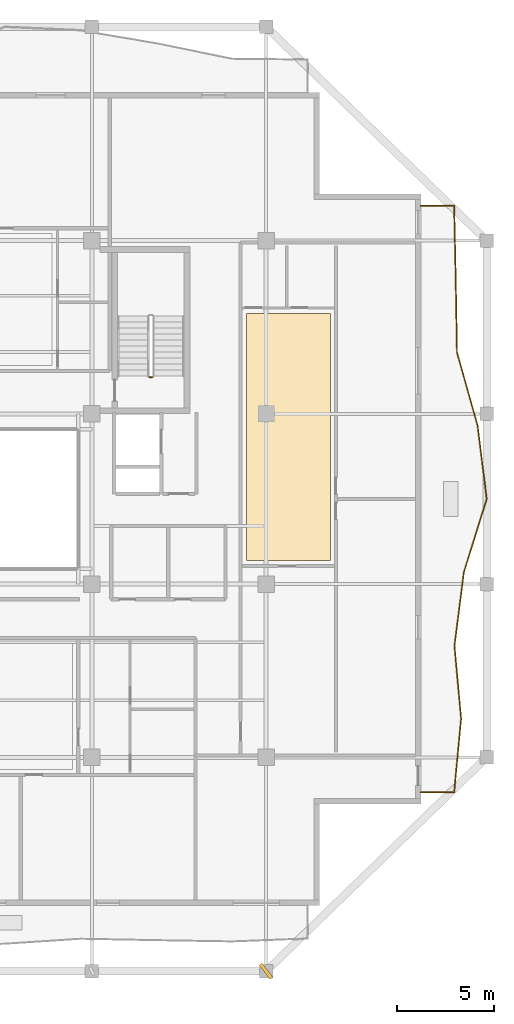
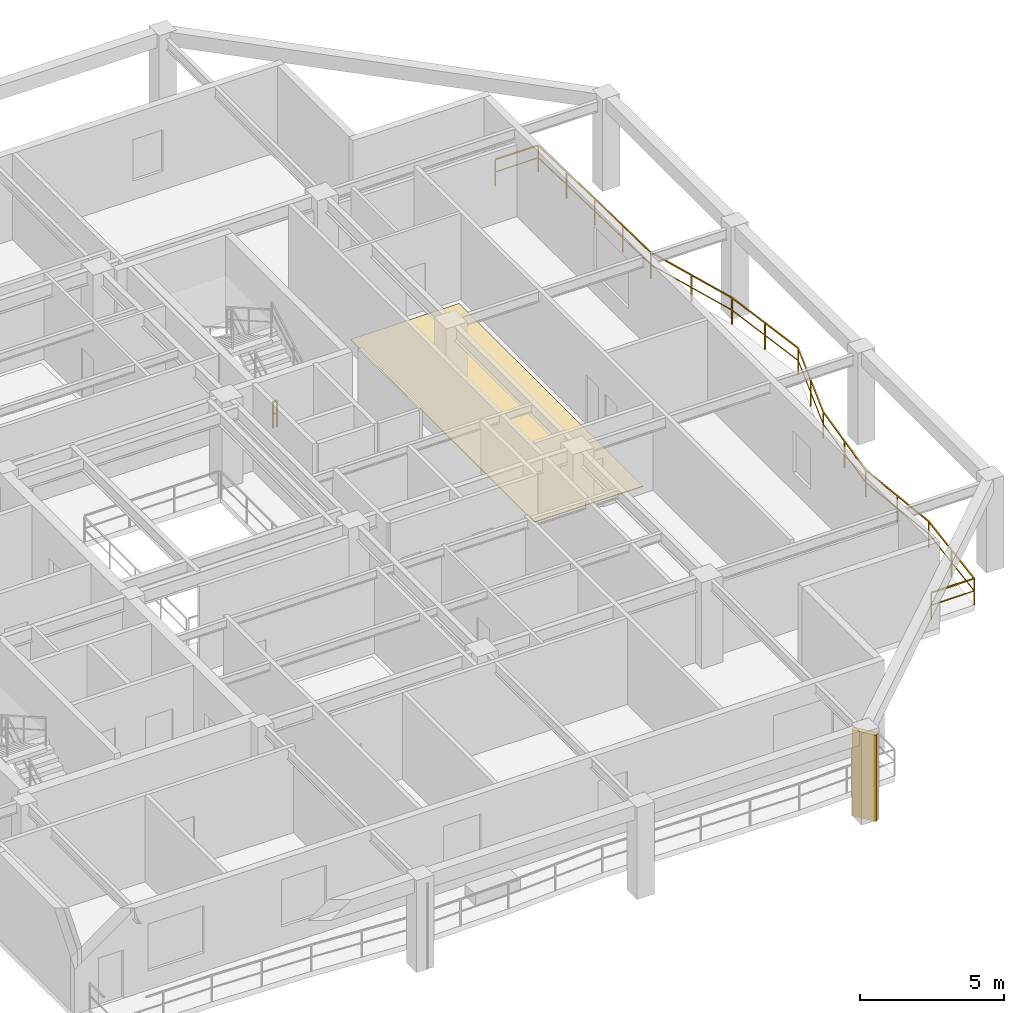
# One storey, part 9 of 11: 2 railings, 1 covering, 1 shading device.
"""IFC4 building model written with IfcOpenShell, lengths in metres."""

from ifc_helpers import new_model, si_unit, direction, frame, origin, origin_2d, place, context, subcontext, project, spatial, polyline, rectangle, outline, extrude, material, layer, layer_set, type_object, element, save


model = new_model("IFC4")

# Units and contexts
model_context = context("Model", 3, precision=1e-05, world=origin(), true_north=direction((0.0, 1.0)))
body_context = subcontext(model_context, "Body", "Model", "MODEL_VIEW")
ifc_project = project(units=[si_unit("LENGTHUNIT", "METRE"), si_unit("AREAUNIT", "SQUARE_METRE"), si_unit("VOLUMEUNIT", "CUBIC_METRE"), si_unit("PLANEANGLEUNIT", "RADIAN"), si_unit("MASSUNIT", "GRAM", prefix="KILO")], contexts=[model_context])

# Site, building, storey
site_placement = place(None, origin())
site = spatial("IfcSite", under=ifc_project, at=site_placement, CompositionType="ELEMENT")
building_placement = place(site_placement, origin())
building = spatial("IfcBuilding", under=site, at=building_placement, Name="Kundavana Baori Tower", CompositionType="ELEMENT")
storey_placement = place(building_placement, frame((0.0, 0.0, 253.10009765625)))
storey = spatial("IfcBuildingStorey", under=building, at=storey_placement, Name="L62", CompositionType="ELEMENT", Elevation=253.10009765625)

# Covering
ifc_material_1 = material(Name="Honed Kota Stone and Terrazzo Flooring", Category="masonry")
ifc_layer = layer(ifc_material_1, 0.030029296875, Name="COV-INT-FLR")
ifc_layer_set = layer_set([ifc_layer], Name="Honed Kota Stone and Terrazzo Flooring")
covering_type = type_object("IfcCoveringType", Name="COV-INT-FLR", PredefinedType="FLOORING", material=ifc_layer_set)
covering_placement = place(storey_placement, origin())
element("IfcCovering", 1, at=covering_placement, inside=storey, type_object=covering_type, Name="L62 Room Finished Stone Flooring 5", PredefinedType="FLOORING", context=body_context, shape_type="SweptSolid", body=[
    extrude(outline(polyline([(41.780029296875, 25.409912109375), (46.1298828125, 25.409912109375), (46.1298828125, 38.18994140625), (41.780029296875, 38.18994140625), (41.780029296875, 25.409912109375)])), origin(), (0.0, 0.0, 1.0), 0.02978515625),
])

# Railings
ifc_material_2 = material(Name="Architectural Patinated Bronze Metalwork")
railing_type_1 = type_object("IfcRailingType", Name="RL-BAL-1150", PredefinedType="BALUSTRADE", material=ifc_material_2)
railing_1_placement = place(storey_placement, frame((50.800048828125, 43.75, 0.0)))
element("IfcRailing", 2, at=railing_1_placement, inside=storey, type_object=railing_type_1, Name="L62 Loggia Balcony Balustrade E", PredefinedType="BALUSTRADE", context=body_context, shape_type="SweptSolid", body=[
    extrude(rectangle(XDim=0.048095703125, YDim=0.048095703125, at=origin_2d()), frame((0.0, 0.0, 1.1259765625), z_axis=(1.0, 0.0, 0.0), x_axis=(0.0, 1.0, 0.0)), (0.0, 0.0, 1.0), 1.719970703125),
    extrude(rectangle(XDim=0.03125, YDim=0.03125, at=origin_2d()), frame((0.0, 0.0, 0.597900390625), z_axis=(1.0, 0.0, 0.0), x_axis=(0.0, 1.0, 0.0)), (0.0, 0.0, 1.0), 1.719970703125),
    extrude(rectangle(XDim=0.048095703125, YDim=0.048095703125, at=origin_2d()), frame((1.719970703125, 0.0, 1.1259765625), z_axis=(0.02164999004, -0.999765611497, 0.0), x_axis=(0.999765611497, 0.02164999004, 0.0)), (0.0, 0.0, 1.0), 3.7890625),
    extrude(rectangle(XDim=0.03125, YDim=0.03125, at=origin_2d()), frame((1.719970703125, 0.0, 0.597900390625), z_axis=(0.02164999004, -0.999765611497, 0.0), x_axis=(0.999765611497, 0.02164999004, 0.0)), (0.0, 0.0, 1.0), 3.7890625),
    extrude(rectangle(XDim=0.048095703125, YDim=0.048095703125, at=origin_2d()), frame((1.802001953125, -3.7880859375, 1.1259765625), z_axis=(0.017146598823, -0.999852986268, 0.0), x_axis=(0.999852986268, 0.017146598823, 0.0)), (0.0, 0.0, 1.0), 3.787353515625),
    extrude(rectangle(XDim=0.03125, YDim=0.03125, at=origin_2d()), frame((1.802001953125, -3.7880859375, 0.597900390625), z_axis=(0.017146598823, -0.999852986268, 0.0), x_axis=(0.999852986268, 0.017146598823, 0.0)), (0.0, 0.0, 1.0), 3.787353515625),
    extrude(rectangle(XDim=0.048095703125, YDim=0.048095703125, at=origin_2d()), frame((1.866943359375, -7.574951171875, 1.1259765625), z_axis=(0.270932467107, -0.962598357711, 0.0), x_axis=(0.962598357711, 0.270932467107, 0.0)), (0.0, 0.0, 1.0), 3.934326171875),
    extrude(rectangle(XDim=0.03125, YDim=0.03125, at=origin_2d()), frame((1.866943359375, -7.574951171875, 0.597900390625), z_axis=(0.270932467107, -0.962598357711, 0.0), x_axis=(0.962598357711, 0.270932467107, 0.0)), (0.0, 0.0, 1.0), 3.934326171875),
    extrude(rectangle(XDim=0.048095703125, YDim=0.048095703125, at=origin_2d()), frame((2.932861328125, -11.362060546875, 1.1259765625), z_axis=(0.122373326497, -0.992484140408, 0.0), x_axis=(0.992484140408, 0.122373326497, 0.0)), (0.0, 0.0, 1.0), 3.81640625),
    extrude(rectangle(XDim=0.03125, YDim=0.03125, at=origin_2d()), frame((2.932861328125, -11.362060546875, 0.597900390625), z_axis=(0.122373326497, -0.992484140408, 0.0), x_axis=(0.992484140408, 0.122373326497, 0.0)), (0.0, 0.0, 1.0), 3.81640625),
    extrude(rectangle(XDim=0.048095703125, YDim=0.048095703125, at=origin_2d()), frame((3.39990234375, -15.14990234375, 1.1259765625), z_axis=(-0.296718615779, -0.954964953833, 0.0), x_axis=(0.954964953833, -0.296718615779, 0.0)), (0.0, 0.0, 1.0), 3.966796875),
    extrude(rectangle(XDim=0.03125, YDim=0.03125, at=origin_2d()), frame((3.39990234375, -15.14990234375, 0.597900390625), z_axis=(-0.296718615779, -0.954964953833, 0.0), x_axis=(0.954964953833, -0.296718615779, 0.0)), (0.0, 0.0, 1.0), 3.966796875),
    extrude(rectangle(XDim=0.048095703125, YDim=0.048095703125, at=origin_2d()), frame((2.222900390625, -18.93798828125, 1.1259765625), z_axis=(-0.127244967104, -0.991871321466, 0.0), x_axis=(0.991871321466, -0.127244967104, 0.0)), (0.0, 0.0, 1.0), 3.818115234375),
    extrude(rectangle(XDim=0.03125, YDim=0.03125, at=origin_2d()), frame((2.222900390625, -18.93798828125, 0.597900390625), z_axis=(-0.127244967104, -0.991871321466, 0.0), x_axis=(0.991871321466, -0.127244967104, 0.0)), (0.0, 0.0, 1.0), 3.818115234375),
    extrude(rectangle(XDim=0.048095703125, YDim=0.048095703125, at=origin_2d()), frame((1.737060546875, -22.72509765625, 1.1259765625), z_axis=(0.090147860438, -0.995928392636, 0.0), x_axis=(0.995928392636, 0.090147860438, 0.0)), (0.0, 0.0, 1.0), 3.80224609375),
    extrude(rectangle(XDim=0.03125, YDim=0.03125, at=origin_2d()), frame((1.737060546875, -22.72509765625, 0.597900390625), z_axis=(0.090147860438, -0.995928392636, 0.0), x_axis=(0.995928392636, 0.090147860438, 0.0)), (0.0, 0.0, 1.0), 3.80224609375),
    extrude(rectangle(XDim=0.048095703125, YDim=0.048095703125, at=origin_2d()), frame((2.079833984375, -26.511962890625, 1.1259765625), z_axis=(-0.094572920789, -0.995517936882, 0.0), x_axis=(0.995517936882, -0.094572920789, 0.0)), (0.0, 0.0, 1.0), 3.80517578125),
    extrude(rectangle(XDim=0.03125, YDim=0.03125, at=origin_2d()), frame((2.079833984375, -26.511962890625, 0.597900390625), z_axis=(-0.094572920789, -0.995517936882, 0.0), x_axis=(0.995517936882, -0.094572920789, 0.0)), (0.0, 0.0, 1.0), 3.80517578125),
    extrude(rectangle(XDim=0.048095703125, YDim=0.048095703125, at=origin_2d()), frame((1.719970703125, -30.300048828125, 1.1259765625), z_axis=(-1.0, 0.0, 0.0), x_axis=(0.0, -1.0, 0.0)), (0.0, 0.0, 1.0), 1.719970703125),
    extrude(rectangle(XDim=0.03125, YDim=0.03125, at=origin_2d()), frame((1.719970703125, -30.300048828125, 0.597900390625), z_axis=(-1.0, 0.0, 0.0), x_axis=(0.0, -1.0, 0.0)), (0.0, 0.0, 1.0), 1.719970703125),
    extrude(rectangle(XDim=0.0419921875, YDim=0.0419921875, at=origin_2d()), origin(), (0.0, 0.0, 1.0), 1.101806640625),
    extrude(rectangle(XDim=0.0419921875, YDim=0.0419921875, at=origin_2d()), frame((1.719970703125, 0.0, 0.0)), (0.0, 0.0, 1.0), 1.101806640625),
    extrude(rectangle(XDim=0.0419921875, YDim=0.0419921875, at=origin_2d()), frame((1.760986328125, -1.89404296875, 0.0)), (0.0, 0.0, 1.0), 1.101806640625),
    extrude(rectangle(XDim=0.0419921875, YDim=0.0419921875, at=origin_2d()), frame((1.802001953125, -3.7880859375, 0.0)), (0.0, 0.0, 1.0), 1.101806640625),
    extrude(rectangle(XDim=0.0419921875, YDim=0.0419921875, at=origin_2d()), frame((1.83447265625, -5.681640625, 0.0)), (0.0, 0.0, 1.0), 1.101806640625),
    extrude(rectangle(XDim=0.0419921875, YDim=0.0419921875, at=origin_2d()), frame((1.866943359375, -7.574951171875, 0.0)), (0.0, 0.0, 1.0), 1.101806640625),
    extrude(rectangle(XDim=0.0419921875, YDim=0.0419921875, at=origin_2d()), frame((2.39990234375, -9.468505859375, 0.0)), (0.0, 0.0, 1.0), 1.101806640625),
    extrude(rectangle(XDim=0.0419921875, YDim=0.0419921875, at=origin_2d()), frame((2.932861328125, -11.362060546875, 0.0)), (0.0, 0.0, 1.0), 1.101806640625),
    extrude(rectangle(XDim=0.0419921875, YDim=0.0419921875, at=origin_2d()), frame((3.16650390625, -13.255859375, 0.0)), (0.0, 0.0, 1.0), 1.101806640625),
    extrude(rectangle(XDim=0.0419921875, YDim=0.0419921875, at=origin_2d()), frame((3.39990234375, -15.14990234375, 0.0)), (0.0, 0.0, 1.0), 1.101806640625),
    extrude(rectangle(XDim=0.0419921875, YDim=0.0419921875, at=origin_2d()), frame((2.8115234375, -17.0439453125, 0.0)), (0.0, 0.0, 1.0), 1.101806640625),
    extrude(rectangle(XDim=0.0419921875, YDim=0.0419921875, at=origin_2d()), frame((2.222900390625, -18.93798828125, 0.0)), (0.0, 0.0, 1.0), 1.101806640625),
    extrude(rectangle(XDim=0.0419921875, YDim=0.0419921875, at=origin_2d()), frame((1.97998046875, -20.83154296875, 0.0)), (0.0, 0.0, 1.0), 1.101806640625),
    extrude(rectangle(XDim=0.0419921875, YDim=0.0419921875, at=origin_2d()), frame((1.737060546875, -22.72509765625, 0.0)), (0.0, 0.0, 1.0), 1.101806640625),
    extrude(rectangle(XDim=0.0419921875, YDim=0.0419921875, at=origin_2d()), frame((1.908447265625, -24.61865234375, 0.0)), (0.0, 0.0, 1.0), 1.101806640625),
    extrude(rectangle(XDim=0.0419921875, YDim=0.0419921875, at=origin_2d()), frame((2.079833984375, -26.511962890625, 0.0)), (0.0, 0.0, 1.0), 1.101806640625),
    extrude(rectangle(XDim=0.0419921875, YDim=0.0419921875, at=origin_2d()), frame((1.89990234375, -28.406005859375, 0.0)), (0.0, 0.0, 1.0), 1.101806640625),
    extrude(rectangle(XDim=0.0419921875, YDim=0.0419921875, at=origin_2d()), frame((1.719970703125, -30.300048828125, 0.0)), (0.0, 0.0, 1.0), 1.101806640625),
    extrude(rectangle(XDim=0.0419921875, YDim=0.0419921875, at=origin_2d()), frame((0.0, -30.300048828125, 0.0)), (0.0, 0.0, 1.0), 1.101806640625),
])
ifc_material_3 = material(Name="Architectural Patinated Bronze Metalwork")
railing_type_2 = type_object("IfcRailingType", Name="RL-GRD-1150", PredefinedType="GUARDRAIL", material=ifc_material_3)
railing_2_placement = place(storey_placement, frame((36.929931640625, 34.89990234375, 0.0)))
element("IfcRailing", 3, at=railing_2_placement, inside=storey, type_object=railing_type_2, Name="L62 ST3 stair guard 4", PredefinedType="GUARDRAIL", context=body_context, shape_type="SweptSolid", body=[
    extrude(rectangle(XDim=0.048095703125, YDim=0.048095703125, at=origin_2d()), frame((0.0, 0.0, 1.1259765625), z_axis=(-1.0, 0.0, 0.0), x_axis=(0.0, -1.0, 0.0)), (0.0, 0.0, 1.0), 0.159912109375),
    extrude(rectangle(XDim=0.03125, YDim=0.03125, at=origin_2d()), frame((0.0, 0.0, 0.597900390625), z_axis=(-1.0, 0.0, 0.0), x_axis=(0.0, -1.0, 0.0)), (0.0, 0.0, 1.0), 0.159912109375),
    extrude(rectangle(XDim=0.0419921875, YDim=0.0419921875, at=origin_2d()), origin(), (0.0, 0.0, 1.0), 1.101806640625),
    extrude(rectangle(XDim=0.0419921875, YDim=0.0419921875, at=origin_2d()), frame((-0.159912109375, 0.0, 0.0)), (0.0, 0.0, 1.0), 1.101806640625),
])

# Shading device
ifc_material_4 = material(Name="Red-Buff Dholpur Sandstone Cladding on Concrete C40/50", Category="masonry")
shading_device_type = type_object("IfcShadingDeviceType", Name="SHD-FIN-920", PredefinedType="JALOUSIE", material=ifc_material_4)
shading_device_placement = place(storey_placement, frame((42.800048828125, 4.199951171875, 0.0), z_axis=(0.0, 0.0, 1.0), x_axis=(0.79473253287, 0.606959801962, 0.0)))
element("IfcShadingDevice", 4, at=shading_device_placement, inside=storey, type_object=shading_device_type, Name="L62 Sweeping Dholpur Sandstone Facade Fin 4", PredefinedType="JALOUSIE", context=body_context, shape_type="SweptSolid", body=[
    extrude(rectangle(XDim=0.179931640625, YDim=0.919921875, at=origin_2d()), origin(), (0.0, 0.0, 1.0), 3.659912109375),
])

save(model, "model.ifc")
